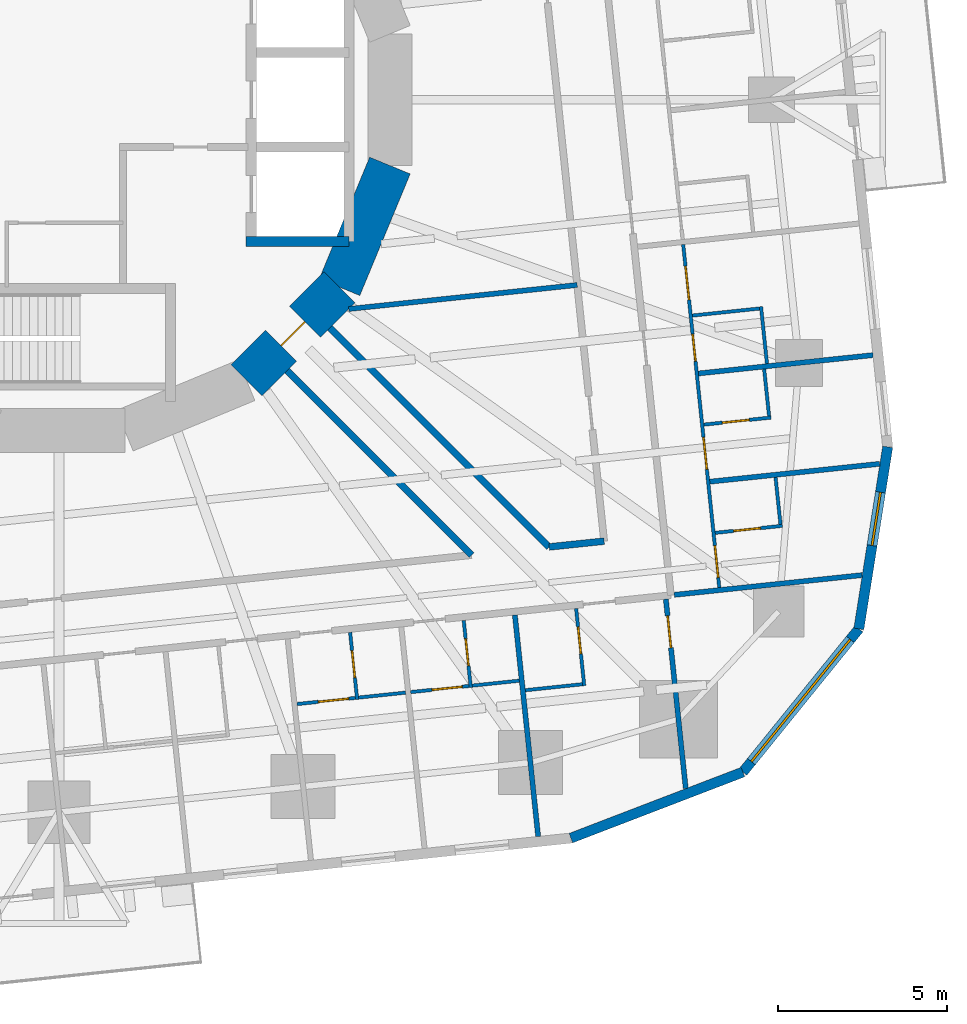
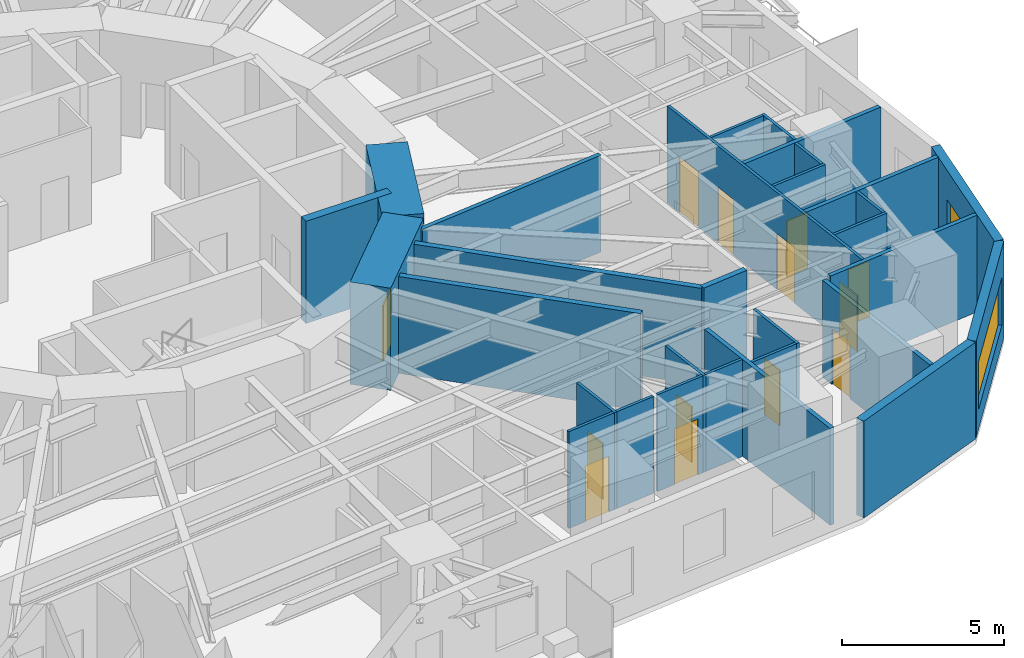
# One storey, part 8 of 15: 30 walls, 13 doors, 2 windows, 15 openings.
"""IFC4 building model written with IfcOpenShell, lengths in metres."""

from ifc_helpers import new_model, si_unit, direction, frame, frame_2d, origin, place, context, subcontext, project, spatial, rectangle, extrude, material, layer, layer_set, type_object, element, fill, save


model = new_model("IFC4")

# Units and contexts
model_context = context("Model", 3, precision=1e-05, world=origin(), true_north=direction((0.0, 1.0)))
body_context = subcontext(model_context, "Body", "Model", "MODEL_VIEW")
ifc_project = project(units=[si_unit("LENGTHUNIT", "METRE"), si_unit("AREAUNIT", "SQUARE_METRE"), si_unit("VOLUMEUNIT", "CUBIC_METRE"), si_unit("PLANEANGLEUNIT", "RADIAN"), si_unit("MASSUNIT", "GRAM", prefix="KILO")], contexts=[model_context])

# Site, building, storey
site_placement = place(None, origin())
site = spatial("IfcSite", under=ifc_project, at=site_placement, CompositionType="ELEMENT")
building_placement = place(site_placement, origin())
building = spatial("IfcBuilding", under=site, at=building_placement, Name="Nakasero Lantern House", CompositionType="ELEMENT")
storey_placement = place(building_placement, frame((0.0, 0.0, 64.35009765625)))
storey = spatial("IfcBuildingStorey", under=building, at=storey_placement, Name="L15", CompositionType="ELEMENT", Elevation=64.35009765625)

# Wall, openings, doors
ifc_material_1 = material(Name="Blockwork", Category="masonry")
ifc_layer_1 = layer(ifc_material_1, 0.10009765625)
ifc_layer_set_1 = layer_set([ifc_layer_1], Name="Cluster hall wall 100")
wall_type_1 = type_object("IfcWallType", Name="Cluster hall wall 100", PredefinedType="PARTITIONING", material=ifc_layer_set_1)
wall_1_placement = place(storey_placement, frame((19.568603515625, -14.458740234375, 0.0), z_axis=(0.0, 0.0, 1.0), x_axis=(-0.104541804513, 0.994520493056, 0.0)))
wall_1 = element("IfcWall", 1, at=wall_1_placement, inside=storey, type_object=wall_type_1, Name="Cluster hall wall L15 HW0-0", PredefinedType="PARTITIONING", context=body_context, shape_type="SweptSolid", body=[
    extrude(rectangle(XDim=10.2216796875, YDim=0.10009765625, at=frame_2d((5.11083984375, 0.0))), origin(), (0.0, 0.0, 1.0), 3.64990234375),
])
opening_1_placement = place(wall_1_placement, frame((8.57568359375, 0.0, 0.0)))
opening_1 = element("IfcOpeningElement", 2, at=opening_1_placement, cuts=wall_1, Name="Opening D03", PredefinedType="OPENING", context=body_context, shape_type="SweptSolid", body=[
    extrude(rectangle(XDim=1.0, YDim=2.10009765625, at=frame_2d((0.5, 1.050048828125))), frame((0.0, 0.070068359375, 0.0), z_axis=(0.0, -1.0, 0.0), x_axis=(1.0, 0.0, 0.0)), (0.0, 0.0, 1.0), 0.14013671875),
])
opening_2_placement = place(wall_1_placement, frame((6.75048828125, 0.0, 0.0)))
opening_2 = element("IfcOpeningElement", 3, at=opening_2_placement, cuts=wall_1, Name="Opening D02", PredefinedType="OPENING", context=body_context, shape_type="SweptSolid", body=[
    extrude(rectangle(XDim=0.800048828125, YDim=2.10009765625, at=frame_2d((0.39990234375, 1.050048828125))), frame((0.0, 0.070068359375, 0.0), z_axis=(0.0, -1.0, 0.0), x_axis=(1.0, 0.0, 0.0)), (0.0, 0.0, 1.0), 0.14013671875),
])
opening_3_placement = place(wall_1_placement, frame((0.300048828125, 0.0, 0.0)))
opening_3 = element("IfcOpeningElement", 4, at=opening_3_placement, cuts=wall_1, Name="Opening D01", PredefinedType="OPENING", context=body_context, shape_type="SweptSolid", body=[
    extrude(rectangle(XDim=0.949951171875, YDim=2.10009765625, at=frame_2d((0.47509765625, 1.050048828125))), frame((0.0, 0.070068359375, 0.0), z_axis=(0.0, -1.0, 0.0), x_axis=(1.0, 0.0, 0.0)), (0.0, 0.0, 1.0), 0.14013671875),
])
opening_4_placement = place(wall_1_placement, frame((3.525390625, 0.0, 0.0)))
opening_4 = element("IfcOpeningElement", 5, at=opening_4_placement, cuts=wall_1, Name="Opening D01", PredefinedType="OPENING", context=body_context, shape_type="SweptSolid", body=[
    extrude(rectangle(XDim=0.949951171875, YDim=2.10009765625, at=frame_2d((0.47509765625, 1.050048828125))), frame((0.0, 0.070068359375, 0.0), z_axis=(0.0, -1.0, 0.0), x_axis=(1.0, 0.0, 0.0)), (0.0, 0.0, 1.0), 0.14013671875),
])
ifc_material_2 = material(Name="Timber C24", Category="wood")
door_type_1 = type_object("IfcDoorType", Name="Bedroom door FD30S 950", OperationType="SINGLE_SWING_LEFT", PredefinedType="DOOR", material=ifc_material_2)
door_1_placement = place(opening_3_placement, origin())
door_1 = element("IfcDoor", 6, at=door_1_placement, inside=storey, type_object=door_type_1, Name="Door L15 D0-00", OperationType="SINGLE_SWING_LEFT", OverallHeight=2.10009765625, OverallWidth=0.949951171875, PredefinedType="DOOR", context=body_context, shape_type="SweptSolid", body=[
    extrude(rectangle(XDim=0.949951171875, YDim=2.10009765625, at=frame_2d((0.47509765625, 1.050048828125))), frame((0.0, 0.02490234375, 0.0), z_axis=(0.0, -1.0, 0.0), x_axis=(1.0, 0.0, 0.0)), (0.0, 0.0, 1.0), 0.050048828125),
])
fill(opening_3, door_1)
door_2_placement = place(opening_4_placement, origin())
door_2 = element("IfcDoor", 7, at=door_2_placement, inside=storey, type_object=door_type_1, Name="Door L15 D0-01", OperationType="SINGLE_SWING_LEFT", OverallHeight=2.10009765625, OverallWidth=0.949951171875, PredefinedType="DOOR", context=body_context, shape_type="SweptSolid", body=[
    extrude(rectangle(XDim=0.949951171875, YDim=2.10009765625, at=frame_2d((0.47509765625, 1.050048828125))), frame((0.0, 0.02490234375, 0.0), z_axis=(0.0, -1.0, 0.0), x_axis=(1.0, 0.0, 0.0)), (0.0, 0.0, 1.0), 0.050048828125),
])
fill(opening_4, door_2)
ifc_material_3 = material(Name="Timber C24", Category="wood")
door_type_2 = type_object("IfcDoorType", Name="En-suite door 800", OperationType="SINGLE_SWING_RIGHT", PredefinedType="DOOR", material=ifc_material_3)
door_3_placement = place(opening_2_placement, origin())
door_3 = element("IfcDoor", 8, at=door_3_placement, inside=storey, type_object=door_type_2, Name="Door L15 DSH0-0", OperationType="SINGLE_SWING_RIGHT", OverallHeight=2.10009765625, OverallWidth=0.800048828125, PredefinedType="DOOR", context=body_context, shape_type="SweptSolid", body=[
    extrude(rectangle(XDim=0.800048828125, YDim=2.10009765625, at=frame_2d((0.39990234375, 1.050048828125))), frame((0.0, 0.02490234375, 0.0), z_axis=(0.0, -1.0, 0.0), x_axis=(1.0, 0.0, 0.0)), (0.0, 0.0, 1.0), 0.050048828125),
])
fill(opening_2, door_3)
ifc_material_4 = material(Name="Timber C24", Category="wood")
door_type_3 = type_object("IfcDoorType", Name="Lounge door FD30S 1000", OperationType="SINGLE_SWING_LEFT", PredefinedType="DOOR", material=ifc_material_4)
door_4_placement = place(opening_1_placement, origin())
door_4 = element("IfcDoor", 9, at=door_4_placement, inside=storey, type_object=door_type_3, Name="Door L15 DH0-0", OperationType="SINGLE_SWING_RIGHT", OverallHeight=2.10009765625, OverallWidth=1.0, PredefinedType="DOOR", context=body_context, shape_type="SweptSolid", body=[
    extrude(rectangle(XDim=1.0, YDim=2.10009765625, at=frame_2d((0.5, 1.050048828125))), frame((0.0, 0.02490234375, 0.0), z_axis=(0.0, -1.0, 0.0), x_axis=(1.0, 0.0, 0.0)), (0.0, 0.0, 1.0), 0.050048828125),
])
fill(opening_1, door_4)

# Wall
ifc_material_5 = material(Name="Concrete C50/60", Category="concrete")
ifc_layer_2 = layer(ifc_material_5, 0.300048828125)
ifc_layer_set_2 = layer_set([ifc_layer_2], Name="Core inner wall 300")
wall_type_2 = type_object("IfcWallType", Name="Core inner wall 300", PredefinedType="SHEAR", material=ifc_layer_set_2)
wall_2_placement = place(storey_placement, frame((5.550048828125, -4.199951171875, 0.0), z_axis=(0.0, 0.0, 1.0), x_axis=(1.0, 0.0, 0.0)))
element("IfcWall", 10, at=wall_2_placement, inside=storey, type_object=wall_type_2, Name="Core inner wall L15 LES", PredefinedType="SHEAR", context=body_context, shape_type="SweptSolid", body=[
    extrude(rectangle(XDim=3.050048828125, YDim=0.300048828125, at=frame_2d((1.52490234375, 0.0))), origin(), (0.0, 0.0, 1.0), 3.849853515625),
])

# Wall, opening, door
ifc_material_6 = material(Name="Concrete C50/60", Category="concrete")
ifc_layer_3 = layer(ifc_material_6, 1.300048828125)
ifc_layer_set_3 = layer_set([ifc_layer_3], Name="Core wall 1300")
wall_type_3 = type_object("IfcWallType", Name="Core wall 1300", PredefinedType="SHEAR", material=ifc_layer_set_3)
wall_3_placement = place(storey_placement, frame((5.5556640625, -8.314697265625, 0.0), z_axis=(0.0, 0.0, 1.0), x_axis=(0.707106781187, 0.707106781187, 0.0)))
wall_3 = element("IfcWall", 11, at=wall_3_placement, inside=storey, type_object=wall_type_3, Name="Core wall L15 facet 14", PredefinedType="SHEAR", context=body_context, shape_type="SweptSolid", body=[
    extrude(rectangle(XDim=3.90185546875, YDim=1.300048828125, at=frame_2d((1.950927734375, 0.0))), origin(), (0.0, 0.0, 1.0), 3.849853515625),
])
opening_5_placement = place(wall_3_placement, frame((1.450927734375, 0.0, 0.0)))
opening_5 = element("IfcOpeningElement", 12, at=opening_5_placement, cuts=wall_3, Name="Opening D05", PredefinedType="OPENING", context=body_context, shape_type="SweptSolid", body=[
    extrude(rectangle(XDim=1.0, YDim=2.10009765625, at=frame_2d((0.5, 1.050048828125))), frame((0.0, 0.669921875, 0.0), z_axis=(0.0, -1.0, 0.0), x_axis=(1.0, 0.0, 0.0)), (0.0, 0.0, 1.0), 1.340087890625),
])
ifc_material_7 = material(Name="Timber C24", Category="wood")
door_type_4 = type_object("IfcDoorType", Name="Core door FD60S 1000", OperationType="SINGLE_SWING_LEFT", PredefinedType="DOOR", material=ifc_material_7)
door_5_placement = place(opening_5_placement, origin())
door_5 = element("IfcDoor", 13, at=door_5_placement, inside=storey, type_object=door_type_4, Name="Door L15 D-CORE14", OperationType="SINGLE_SWING_LEFT", OverallHeight=2.10009765625, OverallWidth=1.0, PredefinedType="DOOR", context=body_context, shape_type="SweptSolid", body=[
    extrude(rectangle(XDim=1.0, YDim=2.10009765625, at=frame_2d((0.5, 1.050048828125))), frame((0.0, 0.02490234375, 0.0), z_axis=(0.0, -1.0, 0.0), x_axis=(1.0, 0.0, 0.0)), (0.0, 0.0, 1.0), 0.050048828125),
])
fill(opening_5, door_5)

# Walls
wall_4_placement = place(storey_placement, frame((8.314697265625, -5.5556640625, 0.0), z_axis=(0.0, 0.0, 1.0), x_axis=(0.382690736062, 0.923876507187, 0.0)))
element("IfcWall", 14, at=wall_4_placement, inside=storey, type_object=wall_type_3, Name="Core wall L15 facet 15", PredefinedType="SHEAR", context=body_context, shape_type="SweptSolid", body=[
    extrude(rectangle(XDim=3.90185546875, YDim=1.300048828125, at=frame_2d((1.950927734375, 0.0))), origin(), (0.0, 0.0, 1.0), 3.849853515625),
])
ifc_material_8 = material(Name="Blockwork", Category="masonry")
ifc_layer_4 = layer(ifc_material_8, 0.199951171875)
ifc_layer_set_4 = layer_set([ifc_layer_4], Name="Corridor wall 200")
wall_type_4 = type_object("IfcWallType", Name="Corridor wall 200", PredefinedType="PARTITIONING", material=ifc_layer_set_4)
wall_5_placement = place(storey_placement, frame((14.52685546875, -13.254150390625, 0.0), z_axis=(0.0, 0.0, 1.0), x_axis=(0.99452748025, 0.104475313001, 0.0)))
element("IfcWall", 15, at=wall_5_placement, inside=storey, type_object=wall_type_4, Name="Corridor wall L15 IW3-1", PredefinedType="PARTITIONING", context=body_context, shape_type="SweptSolid", body=[
    extrude(rectangle(XDim=1.63818359375, YDim=0.199951171875, at=frame_2d((0.819091796875, 0.0))), origin(), (0.0, 0.0, 1.0), 3.64990234375),
])
wall_6_placement = place(storey_placement, frame((8.03125, -6.758544921875, 0.0), z_axis=(0.0, 0.0, 1.0), x_axis=(0.707106781187, -0.707106781187, 0.0)))
element("IfcWall", 16, at=wall_6_placement, inside=storey, type_object=wall_type_4, Name="Corridor wall L15 PS14a", PredefinedType="PARTITIONING", context=body_context, shape_type="SweptSolid", body=[
    extrude(rectangle(XDim=9.186279296875, YDim=0.199951171875, at=frame_2d((4.59326171875, 0.0))), origin(), (0.0, 0.0, 1.0), 3.64990234375),
])
wall_7_placement = place(storey_placement, frame((6.758544921875, -8.03125, 0.0), z_axis=(0.0, 0.0, 1.0), x_axis=(0.707090986447, -0.707122575573, 0.0)))
element("IfcWall", 17, at=wall_7_placement, inside=storey, type_object=wall_type_4, Name="Corridor wall L15 PS14b", PredefinedType="PARTITIONING", context=body_context, shape_type="SweptSolid", body=[
    extrude(rectangle(XDim=7.728515625, YDim=0.199951171875, at=frame_2d((3.8642578125, 0.0))), origin(), (0.0, 0.0, 1.0), 3.64990234375),
])
ifc_material_9 = material(Name="Blockwork", Category="masonry")
ifc_layer_5 = layer(ifc_material_9, 0.10009765625)
ifc_layer_set_5 = layer_set([ifc_layer_5], Name="En-suite wall 100")
wall_type_5 = type_object("IfcWallType", Name="En-suite wall 100", PredefinedType="PARTITIONING", material=ifc_layer_set_5)
wall_8_placement = place(storey_placement, frame((18.771484375, -6.397216796875, 0.0), z_axis=(0.0, 0.0, 1.0), x_axis=(0.994523910136, 0.104509292252, 0.0)))
element("IfcWall", 18, at=wall_8_placement, inside=storey, type_object=wall_type_5, Name="En-suite wall L15 SS0-0", PredefinedType="PARTITIONING", context=body_context, shape_type="SweptSolid", body=[
    extrude(rectangle(XDim=2.10009765625, YDim=0.10009765625, at=frame_2d((1.050048828125, 0.0))), origin(), (0.0, 0.0, 1.0), 3.64990234375),
])
wall_9_placement = place(storey_placement, frame((20.982666015625, -7.823974609375, 0.0), z_axis=(0.0, 0.0, 1.0), x_axis=(-0.104408173862, 0.994534530939, 0.0)))
element("IfcWall", 19, at=wall_9_placement, inside=storey, type_object=wall_type_5, Name="En-suite wall L15 SE0-0", PredefinedType="PARTITIONING", context=body_context, shape_type="SweptSolid", body=[
    extrude(rectangle(XDim=1.699951171875, YDim=0.10009765625, at=frame_2d((0.85009765625, 0.0))), origin(), (0.0, 0.0, 1.0), 3.64990234375),
])

# Wall, opening, door
wall_10_placement = place(storey_placement, frame((19.448486328125, -12.837158203125, 0.0), z_axis=(0.0, 0.0, 1.0), x_axis=(0.99452550138, 0.104494148666, 0.0)))
wall_10 = element("IfcWall", 20, at=wall_10_placement, inside=storey, type_object=wall_type_5, Name="En-suite wall L15 ES0-00", PredefinedType="PARTITIONING", context=body_context, shape_type="SweptSolid", body=[
    extrude(rectangle(XDim=2.0, YDim=0.10009765625, at=frame_2d((1.0, 0.0))), origin(), (0.0, 0.0, 1.0), 3.64990234375),
])
opening_6_placement = place(wall_10_placement, frame((0.550048828125, 0.0, 0.0)))
opening_6 = element("IfcOpeningElement", 21, at=opening_6_placement, cuts=wall_10, Name="Opening D02", PredefinedType="OPENING", context=body_context, shape_type="SweptSolid", body=[
    extrude(rectangle(XDim=0.800048828125, YDim=2.10009765625, at=frame_2d((0.39990234375, 1.050048828125))), frame((0.0, 0.070068359375, 0.0), z_axis=(0.0, -1.0, 0.0), x_axis=(1.0, 0.0, 0.0)), (0.0, 0.0, 1.0), 0.14013671875),
])
door_6_placement = place(opening_6_placement, origin())
door_6 = element("IfcDoor", 22, at=door_6_placement, inside=storey, type_object=door_type_2, Name="Door L15 DE0-00", OperationType="SINGLE_SWING_LEFT", OverallHeight=2.10009765625, OverallWidth=0.800048828125, PredefinedType="DOOR", context=body_context, shape_type="SweptSolid", body=[
    extrude(rectangle(XDim=0.800048828125, YDim=2.10009765625, at=frame_2d((0.39990234375, 1.050048828125))), frame((0.0, 0.02490234375, 0.0), z_axis=(0.0, -1.0, 0.0), x_axis=(1.0, 0.0, 0.0)), (0.0, 0.0, 1.0), 0.050048828125),
])
fill(opening_6, door_6)

# Wall
wall_11_placement = place(storey_placement, frame((21.382568359375, -12.58349609375, 0.0), z_axis=(0.0, 0.0, 1.0), x_axis=(-0.104630319263, 0.994511184598, 0.0)))
element("IfcWall", 23, at=wall_11_placement, inside=storey, type_object=wall_type_5, Name="En-suite wall L15 EE0-00", PredefinedType="PARTITIONING", context=body_context, shape_type="SweptSolid", body=[
    extrude(rectangle(XDim=1.39990234375, YDim=0.10009765625, at=frame_2d((0.699951171875, 0.0))), origin(), (0.0, 0.0, 1.0), 3.64990234375),
])

# Wall, opening, door
wall_12_placement = place(storey_placement, frame((19.111328125, -9.62939453125, 0.0), z_axis=(0.0, 0.0, 1.0), x_axis=(0.99452550138, 0.104494148666, 0.0)))
wall_12 = element("IfcWall", 24, at=wall_12_placement, inside=storey, type_object=wall_type_5, Name="En-suite wall L15 ES0-01", PredefinedType="PARTITIONING", context=body_context, shape_type="SweptSolid", body=[
    extrude(rectangle(XDim=2.0, YDim=0.10009765625, at=frame_2d((1.0, 0.0))), origin(), (0.0, 0.0, 1.0), 3.64990234375),
])
opening_7_placement = place(wall_12_placement, frame((0.550048828125, 0.0, 0.0)))
opening_7 = element("IfcOpeningElement", 25, at=opening_7_placement, cuts=wall_12, Name="Opening D02", PredefinedType="OPENING", context=body_context, shape_type="SweptSolid", body=[
    extrude(rectangle(XDim=0.800048828125, YDim=2.10009765625, at=frame_2d((0.39990234375, 1.050048828125))), frame((0.0, 0.070068359375, 0.0), z_axis=(0.0, -1.0, 0.0), x_axis=(1.0, 0.0, 0.0)), (0.0, 0.0, 1.0), 0.14013671875),
])
door_7_placement = place(opening_7_placement, origin())
door_7 = element("IfcDoor", 26, at=door_7_placement, inside=storey, type_object=door_type_2, Name="Door L15 DE0-01", OperationType="SINGLE_SWING_LEFT", OverallHeight=2.10009765625, OverallWidth=0.800048828125, PredefinedType="DOOR", context=body_context, shape_type="SweptSolid", body=[
    extrude(rectangle(XDim=0.800048828125, YDim=2.10009765625, at=frame_2d((0.39990234375, 1.050048828125))), frame((0.0, 0.02490234375, 0.0), z_axis=(0.0, -1.0, 0.0), x_axis=(1.0, 0.0, 0.0)), (0.0, 0.0, 1.0), 0.050048828125),
])
fill(opening_7, door_7)

# Wall
wall_13_placement = place(storey_placement, frame((21.04541015625, -9.3759765625, 0.0), z_axis=(0.0, 0.0, 1.0), x_axis=(-0.104630319263, 0.994511184598, 0.0)))
element("IfcWall", 27, at=wall_13_placement, inside=storey, type_object=wall_type_5, Name="En-suite wall L15 EE0-01", PredefinedType="PARTITIONING", context=body_context, shape_type="SweptSolid", body=[
    extrude(rectangle(XDim=1.39990234375, YDim=0.10009765625, at=frame_2d((0.699951171875, 0.0))), origin(), (0.0, 0.0, 1.0), 3.64990234375),
])

# Wall, opening, door
wall_14_placement = place(storey_placement, frame((8.627685546875, -15.78466796875, 0.0), z_axis=(0.0, 0.0, 1.0), x_axis=(0.104614886044, -0.994512808172, 0.0)))
wall_14 = element("IfcWall", 28, at=wall_14_placement, inside=storey, type_object=wall_type_5, Name="En-suite wall L15 ES3-06", PredefinedType="PARTITIONING", context=body_context, shape_type="SweptSolid", body=[
    extrude(rectangle(XDim=2.0, YDim=0.10009765625, at=frame_2d((1.0, 0.0))), origin(), (0.0, 0.0, 1.0), 3.64990234375),
])
opening_8_placement = place(wall_14_placement, frame((0.550048828125, 0.0, 0.0)))
opening_8 = element("IfcOpeningElement", 29, at=opening_8_placement, cuts=wall_14, Name="Opening D02", PredefinedType="OPENING", context=body_context, shape_type="SweptSolid", body=[
    extrude(rectangle(XDim=0.800048828125, YDim=2.10009765625, at=frame_2d((0.39990234375, 1.050048828125))), frame((0.0, 0.070068359375, 0.0), z_axis=(0.0, -1.0, 0.0), x_axis=(1.0, 0.0, 0.0)), (0.0, 0.0, 1.0), 0.14013671875),
])
door_8_placement = place(opening_8_placement, origin())
door_8 = element("IfcDoor", 30, at=door_8_placement, inside=storey, type_object=door_type_2, Name="Door L15 DE3-06", OperationType="SINGLE_SWING_LEFT", OverallHeight=2.10009765625, OverallWidth=0.800048828125, PredefinedType="DOOR", context=body_context, shape_type="SweptSolid", body=[
    extrude(rectangle(XDim=0.800048828125, YDim=2.10009765625, at=frame_2d((0.39990234375, 1.050048828125))), frame((0.0, 0.02490234375, 0.0), z_axis=(0.0, -1.0, 0.0), x_axis=(1.0, 0.0, 0.0)), (0.0, 0.0, 1.0), 0.050048828125),
])
fill(opening_8, door_8)

# Wall
wall_15_placement = place(storey_placement, frame((8.88134765625, -17.71875, 0.0), z_axis=(0.0, 0.0, 1.0), x_axis=(0.994511184598, 0.104630319263, 0.0)))
element("IfcWall", 31, at=wall_15_placement, inside=storey, type_object=wall_type_5, Name="En-suite wall L15 EE3-06", PredefinedType="PARTITIONING", context=body_context, shape_type="SweptSolid", body=[
    extrude(rectangle(XDim=1.39990234375, YDim=0.10009765625, at=frame_2d((0.699951171875, 0.0))), origin(), (0.0, 0.0, 1.0), 3.64990234375),
])

# Wall, opening, door
wall_16_placement = place(storey_placement, frame((11.994873046875, -15.4306640625, 0.0), z_axis=(0.0, 0.0, 1.0), x_axis=(0.104494148666, -0.99452550138, 0.0)))
wall_16 = element("IfcWall", 32, at=wall_16_placement, inside=storey, type_object=wall_type_5, Name="En-suite wall L15 ES3-07", PredefinedType="PARTITIONING", context=body_context, shape_type="SweptSolid", body=[
    extrude(rectangle(XDim=2.0, YDim=0.10009765625, at=frame_2d((1.0, 0.0))), origin(), (0.0, 0.0, 1.0), 3.64990234375),
])
opening_9_placement = place(wall_16_placement, frame((0.550048828125, 0.0, 0.0)))
opening_9 = element("IfcOpeningElement", 33, at=opening_9_placement, cuts=wall_16, Name="Opening D02", PredefinedType="OPENING", context=body_context, shape_type="SweptSolid", body=[
    extrude(rectangle(XDim=0.800048828125, YDim=2.10009765625, at=frame_2d((0.39990234375, 1.050048828125))), frame((0.0, 0.070068359375, 0.0), z_axis=(0.0, -1.0, 0.0), x_axis=(1.0, 0.0, 0.0)), (0.0, 0.0, 1.0), 0.14013671875),
])
door_9_placement = place(opening_9_placement, origin())
door_9 = element("IfcDoor", 34, at=door_9_placement, inside=storey, type_object=door_type_2, Name="Door L15 DE3-07", OperationType="SINGLE_SWING_LEFT", OverallHeight=2.10009765625, OverallWidth=0.800048828125, PredefinedType="DOOR", context=body_context, shape_type="SweptSolid", body=[
    extrude(rectangle(XDim=0.800048828125, YDim=2.10009765625, at=frame_2d((0.39990234375, 1.050048828125))), frame((0.0, 0.02490234375, 0.0), z_axis=(0.0, -1.0, 0.0), x_axis=(1.0, 0.0, 0.0)), (0.0, 0.0, 1.0), 0.050048828125),
])
fill(opening_9, door_9)

# Wall
wall_17_placement = place(storey_placement, frame((12.248291015625, -17.36474609375, 0.0), z_axis=(0.0, 0.0, 1.0), x_axis=(0.994529315664, 0.104457839748, 0.0)))
element("IfcWall", 35, at=wall_17_placement, inside=storey, type_object=wall_type_5, Name="En-suite wall L15 EE3-07", PredefinedType="PARTITIONING", context=body_context, shape_type="SweptSolid", body=[
    extrude(rectangle(XDim=1.39990234375, YDim=0.10009765625, at=frame_2d((0.699951171875, 0.0))), origin(), (0.0, 0.0, 1.0), 3.64990234375),
])

# Wall, opening, door
wall_18_placement = place(storey_placement, frame((15.326416015625, -15.08056640625, 0.0), z_axis=(0.0, 0.0, 1.0), x_axis=(0.104557694553, -0.994518822602, 0.0)))
wall_18 = element("IfcWall", 36, at=wall_18_placement, inside=storey, type_object=wall_type_5, Name="En-suite wall L15 ES3-08", PredefinedType="PARTITIONING", context=body_context, shape_type="SweptSolid", body=[
    extrude(rectangle(XDim=2.300048828125, YDim=0.10009765625, at=frame_2d((1.14990234375, 0.0))), origin(), (0.0, 0.0, 1.0), 3.64990234375),
])
opening_10_placement = place(wall_18_placement, frame((0.550048828125, 0.0, 0.0)))
opening_10 = element("IfcOpeningElement", 37, at=opening_10_placement, cuts=wall_18, Name="Opening D02", PredefinedType="OPENING", context=body_context, shape_type="SweptSolid", body=[
    extrude(rectangle(XDim=0.800048828125, YDim=2.10009765625, at=frame_2d((0.39990234375, 1.050048828125))), frame((0.0, 0.070068359375, 0.0), z_axis=(0.0, -1.0, 0.0), x_axis=(1.0, 0.0, 0.0)), (0.0, 0.0, 1.0), 0.14013671875),
])
door_10_placement = place(opening_10_placement, origin())
door_10 = element("IfcDoor", 38, at=door_10_placement, inside=storey, type_object=door_type_2, Name="Door L15 DE3-08", OperationType="SINGLE_SWING_LEFT", OverallHeight=2.10009765625, OverallWidth=0.800048828125, PredefinedType="DOOR", context=body_context, shape_type="SweptSolid", body=[
    extrude(rectangle(XDim=0.800048828125, YDim=2.10009765625, at=frame_2d((0.39990234375, 1.050048828125))), frame((0.0, 0.02490234375, 0.0), z_axis=(0.0, -1.0, 0.0), x_axis=(1.0, 0.0, 0.0)), (0.0, 0.0, 1.0), 0.050048828125),
])
fill(opening_10, door_10)

# Wall
wall_19_placement = place(storey_placement, frame((13.8212890625, -17.501220703125, 0.0), z_axis=(0.0, 0.0, 1.0), x_axis=(0.994519608382, 0.104550220202, 0.0)))
element("IfcWall", 39, at=wall_19_placement, inside=storey, type_object=wall_type_5, Name="En-suite wall L15 EE3-08", PredefinedType="PARTITIONING", context=body_context, shape_type="SweptSolid", body=[
    extrude(rectangle(XDim=1.699951171875, YDim=0.10009765625, at=frame_2d((0.85009765625, 0.0))), origin(), (0.0, 0.0, 1.0), 3.64990234375),
])

# Wall, opening, door
wall_20_placement = place(storey_placement, frame((7.055908203125, -17.91064453125, 0.0), z_axis=(0.0, 0.0, 1.0), x_axis=(0.99452316669, 0.10451636674, 0.0)))
wall_20 = element("IfcWall", 40, at=wall_20_placement, inside=storey, type_object=wall_type_5, Name="En-suite wall L15 EL3-06", PredefinedType="PARTITIONING", context=body_context, shape_type="SweptSolid", body=[
    extrude(rectangle(XDim=1.735595703125, YDim=0.10009765625, at=frame_2d((0.86767578125, 0.0))), origin(), (0.0, 0.0, 1.0), 3.64990234375),
])
opening_11_placement = place(wall_20_placement, frame((0.635498046875, 0.0, 0.0)))
opening_11 = element("IfcOpeningElement", 41, at=opening_11_placement, cuts=wall_20, Name="Opening D17", PredefinedType="OPENING", context=body_context, shape_type="SweptSolid", body=[
    extrude(rectangle(XDim=0.89990234375, YDim=2.10009765625, at=frame_2d((0.449951171875, 1.050048828125))), frame((0.0, 0.070068359375, 0.0), z_axis=(0.0, -1.0, 0.0), x_axis=(1.0, 0.0, 0.0)), (0.0, 0.0, 1.0), 0.14013671875),
])
ifc_material_10 = material(Name="Timber C24", Category="wood")
door_type_5 = type_object("IfcDoorType", Name="Bedroom door FD30S 900", OperationType="SINGLE_SWING_LEFT", PredefinedType="DOOR", material=ifc_material_10)
door_11_placement = place(opening_11_placement, origin())
door_11 = element("IfcDoor", 42, at=door_11_placement, inside=storey, type_object=door_type_5, Name="Door L15 DL3-06", OperationType="SINGLE_SWING_RIGHT", OverallHeight=2.10009765625, OverallWidth=0.89990234375, PredefinedType="DOOR", context=body_context, shape_type="SweptSolid", body=[
    extrude(rectangle(XDim=0.89990234375, YDim=2.10009765625, at=frame_2d((0.449951171875, 1.050048828125))), frame((0.0, 0.02490234375, 0.0), z_axis=(0.0, -1.0, 0.0), x_axis=(1.0, 0.0, 0.0)), (0.0, 0.0, 1.0), 0.050048828125),
])
fill(opening_11, door_11)

wall_21_placement = place(storey_placement, frame((10.4228515625, -17.556640625, 0.0), z_axis=(0.0, 0.0, 1.0), x_axis=(0.99452316669, 0.10451636674, 0.0)))
wall_21 = element("IfcWall", 43, at=wall_21_placement, inside=storey, type_object=wall_type_5, Name="En-suite wall L15 EL3-07", PredefinedType="PARTITIONING", context=body_context, shape_type="SweptSolid", body=[
    extrude(rectangle(XDim=1.735595703125, YDim=0.10009765625, at=frame_2d((0.86767578125, 0.0))), origin(), (0.0, 0.0, 1.0), 3.64990234375),
])
opening_12_placement = place(wall_21_placement, frame((0.635498046875, 0.0, 0.0)))
opening_12 = element("IfcOpeningElement", 44, at=opening_12_placement, cuts=wall_21, Name="Opening D17", PredefinedType="OPENING", context=body_context, shape_type="SweptSolid", body=[
    extrude(rectangle(XDim=0.89990234375, YDim=2.10009765625, at=frame_2d((0.449951171875, 1.050048828125))), frame((0.0, 0.070068359375, 0.0), z_axis=(0.0, -1.0, 0.0), x_axis=(1.0, 0.0, 0.0)), (0.0, 0.0, 1.0), 0.14013671875),
])
door_12_placement = place(opening_12_placement, origin())
door_12 = element("IfcDoor", 45, at=door_12_placement, inside=storey, type_object=door_type_5, Name="Door L15 DL3-07", OperationType="SINGLE_SWING_RIGHT", OverallHeight=2.10009765625, OverallWidth=0.89990234375, PredefinedType="DOOR", context=body_context, shape_type="SweptSolid", body=[
    extrude(rectangle(XDim=0.89990234375, YDim=2.10009765625, at=frame_2d((0.449951171875, 1.050048828125))), frame((0.0, 0.02490234375, 0.0), z_axis=(0.0, -1.0, 0.0), x_axis=(1.0, 0.0, 0.0)), (0.0, 0.0, 1.0), 0.050048828125),
])
fill(opening_12, door_12)

# Wall
ifc_material_11 = material(Name="Aluminium rainscreen on blockwork", Category="masonry")
ifc_layer_6 = layer(ifc_material_11, 0.300048828125)
ifc_layer_set_6 = layer_set([ifc_layer_6], Name="Facade wall 300")
wall_type_6 = type_object("IfcWallType", Name="Facade wall 300", PredefinedType="SOLIDWALL", material=ifc_layer_set_6)
wall_22_placement = place(storey_placement, frame((15.170654296875, -21.884033203125, 0.0), z_axis=(0.0, 0.0, 1.0), x_axis=(0.933583906079, 0.358358884793, 0.0)))
element("IfcWall", 46, at=wall_22_placement, inside=storey, type_object=wall_type_6, Name="Facade wall L15 FW3C1", PredefinedType="SOLIDWALL", context=body_context, shape_type="SweptSolid", body=[
    extrude(rectangle(XDim=5.461181640625, YDim=0.300048828125, at=frame_2d((2.73046875, 0.0))), origin(), (0.0, 0.0, 1.0), 3.64990234375),
])

# Wall, opening, window
wall_23_placement = place(storey_placement, frame((20.26904296875, -19.927001953125, 0.0), z_axis=(0.0, 0.0, 1.0), x_axis=(0.629334543442, 0.777134500863, 0.0)))
wall_23 = element("IfcWall", 47, at=wall_23_placement, inside=storey, type_object=wall_type_6, Name="Facade wall L15 FW3C2", PredefinedType="SOLIDWALL", context=body_context, shape_type="SweptSolid", body=[
    extrude(rectangle(XDim=5.4609375, YDim=0.300048828125, at=frame_2d((2.73046875, 0.0))), origin(), (0.0, 0.0, 1.0), 3.64990234375),
])
opening_13_placement = place(wall_23_placement, frame((0.39990234375, 0.0, 0.75)))
opening_13 = element("IfcOpeningElement", 48, at=opening_13_placement, cuts=wall_23, Name="Opening W246", PredefinedType="OPENING", context=body_context, shape_type="SweptSolid", body=[
    extrude(rectangle(XDim=4.660888671875, YDim=1.800048828125, at=frame_2d((2.33056640625, 0.89990234375))), frame((0.0, 0.169921875, 0.0), z_axis=(0.0, -1.0, 0.0), x_axis=(1.0, 0.0, 0.0)), (0.0, 0.0, 1.0), 0.340087890625),
])
ifc_material_12 = material(Name="Aluminium 6063-T6 and glass", Category="aluminium")
window_type_1 = type_object("IfcWindowType", Name="Corner window 4661x1800", PartitioningType="SINGLE_PANEL", PredefinedType="WINDOW", material=ifc_material_12)
window_1_placement = place(opening_13_placement, origin())
window_1 = element("IfcWindow", 49, at=window_1_placement, inside=storey, type_object=window_type_1, Name="Window L15 WC3", OverallHeight=1.800048828125, OverallWidth=4.660888671875, PartitioningType="SINGLE_PANEL", PredefinedType="WINDOW", context=body_context, shape_type="SweptSolid", body=[
    extrude(rectangle(XDim=4.660888671875, YDim=1.800048828125, at=frame_2d((2.33056640625, 0.89990234375))), frame((0.0, 0.030029296875, 0.0), z_axis=(0.0, -1.0, 0.0), x_axis=(1.0, 0.0, 0.0)), (0.0, 0.0, 1.0), 0.06005859375),
])
fill(opening_13, window_1)

wall_24_placement = place(storey_placement, frame((23.705810546875, -15.68310546875, 0.0), z_axis=(0.0, 0.0, 1.0), x_axis=(0.156419383601, 0.987690729142, 0.0)))
wall_24 = element("IfcWall", 50, at=wall_24_placement, inside=storey, type_object=wall_type_6, Name="Facade wall L15 FW3C3", PredefinedType="SOLIDWALL", context=body_context, shape_type="SweptSolid", body=[
    extrude(rectangle(XDim=5.461181640625, YDim=0.300048828125, at=frame_2d((2.73046875, 0.0))), origin(), (0.0, 0.0, 1.0), 3.64990234375),
])
opening_14_placement = place(wall_24_placement, frame((2.5, 0.0, 0.75)))
opening_14 = element("IfcOpeningElement", 51, at=opening_14_placement, cuts=wall_24, Name="Opening W01", PredefinedType="OPENING", context=body_context, shape_type="SweptSolid", body=[
    extrude(rectangle(XDim=1.60009765625, YDim=1.800048828125, at=frame_2d((0.800048828125, 0.89990234375))), frame((0.0, 0.169921875, 0.0), z_axis=(0.0, -1.0, 0.0), x_axis=(1.0, 0.0, 0.0)), (0.0, 0.0, 1.0), 0.340087890625),
])
ifc_material_13 = material(Name="Aluminium 6063-T6 and glass", Category="aluminium")
window_type_2 = type_object("IfcWindowType", Name="Bedroom window 1600x1800", PartitioningType="SINGLE_PANEL", PredefinedType="WINDOW", material=ifc_material_13)
window_2_placement = place(opening_14_placement, origin())
window_2 = element("IfcWindow", 52, at=window_2_placement, inside=storey, type_object=window_type_2, Name="Window L15 WN0-00", OverallHeight=1.800048828125, OverallWidth=1.60009765625, PartitioningType="SINGLE_PANEL", PredefinedType="WINDOW", context=body_context, shape_type="SweptSolid", body=[
    extrude(rectangle(XDim=1.60009765625, YDim=1.800048828125, at=frame_2d((0.800048828125, 0.89990234375))), frame((0.0, 0.030029296875, 0.0), z_axis=(0.0, -1.0, 0.0), x_axis=(1.0, 0.0, 0.0)), (0.0, 0.0, 1.0), 0.06005859375),
])
fill(opening_14, window_2)

# Walls
ifc_material_14 = material(Name="Blockwork", Category="masonry")
ifc_layer_7 = layer(ifc_material_14, 0.14990234375)
ifc_layer_set_7 = layer_set([ifc_layer_7], Name="Party wall 150")
wall_type_7 = type_object("IfcWallType", Name="Party wall 150", PredefinedType="PARTITIONING", material=ifc_layer_set_7)
wall_25_placement = place(storey_placement, frame((18.23388671875, -14.674560546875, 0.0), z_axis=(0.0, 0.0, 1.0), x_axis=(0.994520498284, 0.104541754786, 0.0)))
element("IfcWall", 53, at=wall_25_placement, inside=storey, type_object=wall_type_7, Name="Party wall L15 PW0-00", PredefinedType="PARTITIONING", context=body_context, shape_type="SweptSolid", body=[
    extrude(rectangle(XDim=5.597900390625, YDim=0.14990234375, at=frame_2d((2.798828125, 0.0))), origin(), (0.0, 0.0, 1.0), 3.64990234375),
])
wall_26_placement = place(storey_placement, frame((19.2890625, -11.320556640625, 0.0), z_axis=(0.0, 0.0, 1.0), x_axis=(0.994518658271, 0.104559257608, 0.0)))
element("IfcWall", 54, at=wall_26_placement, inside=storey, type_object=wall_type_7, Name="Party wall L15 PW0-01", PredefinedType="PARTITIONING", context=body_context, shape_type="SweptSolid", body=[
    extrude(rectangle(XDim=5.062255859375, YDim=0.14990234375, at=frame_2d((2.53125, 0.0))), origin(), (0.0, 0.0, 1.0), 3.64990234375),
])
wall_27_placement = place(storey_placement, frame((18.951904296875, -8.11279296875, 0.0), z_axis=(0.0, 0.0, 1.0), x_axis=(0.994523446942, 0.104513699976, 0.0)))
element("IfcWall", 55, at=wall_27_placement, inside=storey, type_object=wall_type_7, Name="Party wall L15 PW0-02", PredefinedType="PARTITIONING", context=body_context, shape_type="SweptSolid", body=[
    extrude(rectangle(XDim=5.199951171875, YDim=0.14990234375, at=frame_2d((2.60009765625, 0.0))), origin(), (0.0, 0.0, 1.0), 3.64990234375),
])
wall_28_placement = place(storey_placement, frame((13.511474609375, -15.271240234375, 0.0), z_axis=(0.0, 0.0, 1.0), x_axis=(0.104534592565, -0.994521251134, 0.0)))
element("IfcWall", 56, at=wall_28_placement, inside=storey, type_object=wall_type_7, Name="Party wall L15 PW3-08", PredefinedType="PARTITIONING", context=body_context, shape_type="SweptSolid", body=[
    extrude(rectangle(XDim=6.60009765625, YDim=0.14990234375, at=frame_2d((3.300048828125, 0.0))), origin(), (0.0, 0.0, 1.0), 3.64990234375),
])

# Wall, opening, door
wall_29_placement = place(storey_placement, frame((17.9853515625, -14.801025390625, 0.0), z_axis=(0.0, 0.0, 1.0), x_axis=(0.104520320471, -0.994522751177, 0.0)))
wall_29 = element("IfcWall", 57, at=wall_29_placement, inside=storey, type_object=wall_type_7, Name="Party wall L15 PC3", PredefinedType="PARTITIONING", context=body_context, shape_type="SweptSolid", body=[
    extrude(rectangle(XDim=5.64111328125, YDim=0.14990234375, at=frame_2d((2.820556640625, 0.0))), origin(), (0.0, 0.0, 1.0), 3.64990234375),
])
opening_15_placement = place(wall_29_placement, frame((0.5, 0.0, 0.0)))
opening_15 = element("IfcOpeningElement", 58, at=opening_15_placement, cuts=wall_29, Name="Opening D01", PredefinedType="OPENING", context=body_context, shape_type="SweptSolid", body=[
    extrude(rectangle(XDim=0.949951171875, YDim=2.10009765625, at=frame_2d((0.47509765625, 1.050048828125))), frame((0.0, 0.094970703125, 0.0), z_axis=(0.0, -1.0, 0.0), x_axis=(1.0, 0.0, 0.0)), (0.0, 0.0, 1.0), 0.18994140625),
])
door_13_placement = place(opening_15_placement, origin())
door_13 = element("IfcDoor", 59, at=door_13_placement, inside=storey, type_object=door_type_1, Name="Door L15 DC3", OperationType="SINGLE_SWING_LEFT", OverallHeight=2.10009765625, OverallWidth=0.949951171875, PredefinedType="DOOR", context=body_context, shape_type="SweptSolid", body=[
    extrude(rectangle(XDim=0.949951171875, YDim=2.10009765625, at=frame_2d((0.47509765625, 1.050048828125))), frame((0.0, 0.02490234375, 0.0), z_axis=(0.0, -1.0, 0.0), x_axis=(1.0, 0.0, 0.0)), (0.0, 0.0, 1.0), 0.050048828125),
])
fill(opening_15, door_13)

# Wall
wall_30_placement = place(storey_placement, frame((8.5869140625, -6.20263671875, 0.0), z_axis=(0.0, 0.0, 1.0), x_axis=(0.99452214126, 0.104526123734, 0.0)))
element("IfcWall", 60, at=wall_30_placement, inside=storey, type_object=wall_type_7, Name="Party wall L15 IS1", PredefinedType="PARTITIONING", context=body_context, shape_type="SweptSolid", body=[
    extrude(rectangle(XDim=6.80859375, YDim=0.14990234375, at=frame_2d((3.404296875, 0.0))), origin(), (0.0, 0.0, 1.0), 3.64990234375),
])

save(model, "model.ifc")
